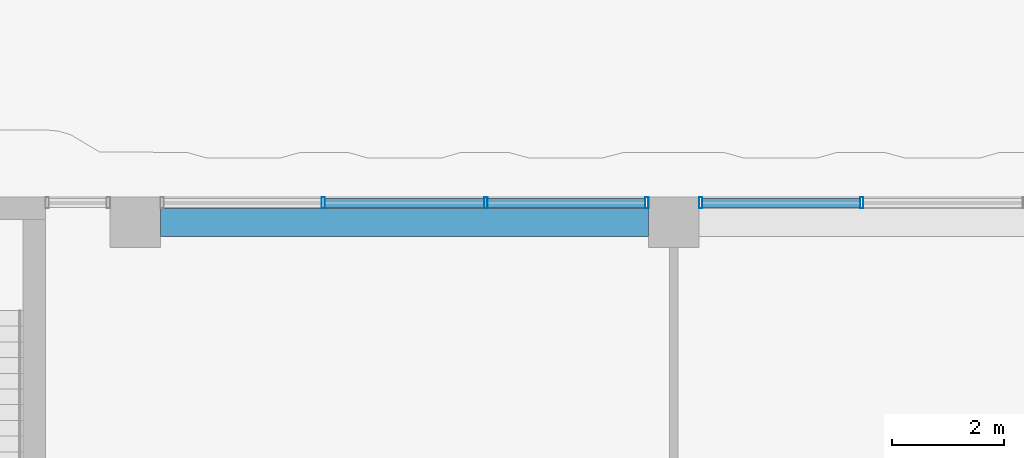
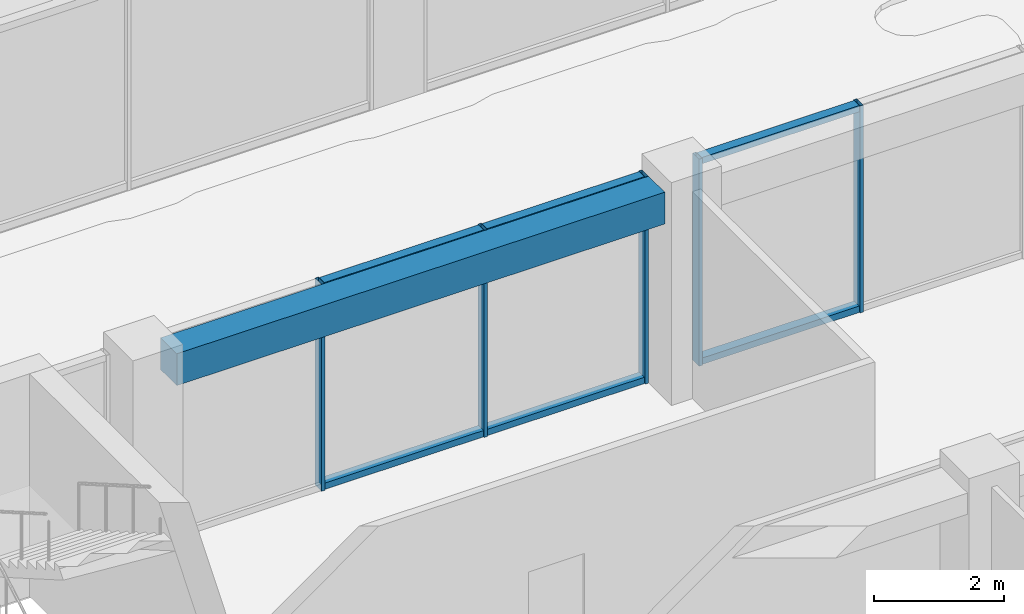
# One storey, part 16 of 72: 11 members, 1 beam, 2 elements without a shape of their own.
"""IFC4 building model written with IfcOpenShell, lengths in metres."""

from ifc_helpers import new_model, si_unit, direction, frame, origin, origin_2d, place, context, subcontext, project, spatial, rectangle, hollow_rectangle, extrude, material, layer, layer_set, material_profile, profile_set, type_object, element, aggregate, save


model = new_model("IFC4")

# Units and contexts
model_context = context("Model", 3, precision=1e-05, world=origin(), true_north=direction((0.0, 1.0)))
body_context = subcontext(model_context, "Body", "Model", "MODEL_VIEW")
ifc_project = project(units=[si_unit("LENGTHUNIT", "METRE"), si_unit("AREAUNIT", "SQUARE_METRE"), si_unit("VOLUMEUNIT", "CUBIC_METRE"), si_unit("PLANEANGLEUNIT", "RADIAN"), si_unit("MASSUNIT", "GRAM", prefix="KILO")], contexts=[model_context])

# Site, building, storey
site_placement = place(None, origin())
site = spatial("IfcSite", under=ifc_project, at=site_placement, CompositionType="ELEMENT")
building_placement = place(site_placement, origin())
building = spatial("IfcBuilding", under=site, at=building_placement, Name="Nzadi Deep Aquarium and Research Tower", CompositionType="ELEMENT")
storey_placement = place(building_placement, frame((0.0, 0.0, 31.89990234375)))
storey = spatial("IfcBuildingStorey", under=building, at=storey_placement, Name="L05", CompositionType="ELEMENT", Elevation=31.89990234375)

# Curtain wall, members
ifc_material_1 = material(Name="Aluminium unitised frame", Category="aluminium")
ifc_layer = layer(ifc_material_1, 0.199951171875)
ifc_layer_set = layer_set([ifc_layer], Name="Aluminium unitised frame")
curtain_wall_type = type_object("IfcCurtainWallType", Name="Curtain wall Unitised 200", PredefinedType="NOTDEFINED", material=ifc_layer_set)
curtain_wall_1_placement = place(storey_placement, origin())
curtain_wall_1 = element("IfcCurtainWall", 1, at=curtain_wall_1_placement, inside=storey, type_object=curtain_wall_type, Name="Unitised curtain wall blade A north L05", PredefinedType="NOTDEFINED")
ifc_material_2 = material(Name="Aluminium unitised frame", Category="aluminium")
ifc_material_profile_1 = material_profile(ifc_material_2, hollow_rectangle(XDim=0.199951171875, YDim=0.06005859375, WallThickness=0.0048828125, at=origin_2d()))
ifc_profile_set_1 = profile_set([ifc_material_profile_1], Name="Aluminium unitised frame")
member_type_1 = type_object("IfcMemberType", Name="Mullion 60x200 Unitised", PredefinedType="MULLION", material=ifc_profile_set_1)
member_1_placement = place(storey_placement, frame((32.14990234375, 18.75, 0.0), z_axis=(0.0, 0.0, 1.0), x_axis=(0.0, 1.0, 0.0)))
member_1 = element("IfcMember", 2, at=member_1_placement, type_object=member_type_1, Name="CW006 mullion 2", PredefinedType="MULLION", context=body_context, shape_type="SweptSolid", body=[
    extrude(hollow_rectangle(XDim=0.199951171875, YDim=0.06005859375, WallThickness=0.0048828125, at=origin_2d()), origin(), (0.0, 0.0, 1.0), 3.900146484375),
])
member_2_placement = place(storey_placement, frame((35.050048828125, 18.75, 0.0), z_axis=(0.0, 0.0, 1.0), x_axis=(0.0, 1.0, 0.0)))
member_2 = element("IfcMember", 3, at=member_2_placement, type_object=member_type_1, Name="CW006 mullion 3", PredefinedType="MULLION", context=body_context, shape_type="SweptSolid", body=[
    extrude(hollow_rectangle(XDim=0.199951171875, YDim=0.06005859375, WallThickness=0.0048828125, at=origin_2d()), origin(), (0.0, 0.0, 1.0), 3.900146484375),
])
member_3_placement = place(storey_placement, frame((37.919921875, 18.75, 0.0), z_axis=(0.0, 0.0, 1.0), x_axis=(0.0, 1.0, 0.0)))
member_3 = element("IfcMember", 4, at=member_3_placement, type_object=member_type_1, Name="CW006 mullion 4", PredefinedType="MULLION", context=body_context, shape_type="SweptSolid", body=[
    extrude(hollow_rectangle(XDim=0.199951171875, YDim=0.06005859375, WallThickness=0.0048828125, at=origin_2d()), origin(), (0.0, 0.0, 1.0), 3.900146484375),
])

curtain_wall_2_placement = place(storey_placement, origin())
curtain_wall_2 = element("IfcCurtainWall", 5, at=curtain_wall_2_placement, inside=storey, type_object=curtain_wall_type, Name="Unitised curtain wall blade A north L05", PredefinedType="NOTDEFINED")
member_4_placement = place(storey_placement, frame((38.8798828125, 18.75, 0.0), z_axis=(0.0, 0.0, 1.0), x_axis=(0.0, 1.0, 0.0)))
member_4 = element("IfcMember", 6, at=member_4_placement, type_object=member_type_1, Name="CW007 mullion 1", PredefinedType="MULLION", context=body_context, shape_type="SweptSolid", body=[
    extrude(hollow_rectangle(XDim=0.199951171875, YDim=0.06005859375, WallThickness=0.0048828125, at=origin_2d()), origin(), (0.0, 0.0, 1.0), 3.900146484375),
])
member_5_placement = place(storey_placement, frame((41.75, 18.75, 0.0), z_axis=(0.0, 0.0, 1.0), x_axis=(0.0, 1.0, 0.0)))
member_5 = element("IfcMember", 7, at=member_5_placement, type_object=member_type_1, Name="CW007 mullion 2", PredefinedType="MULLION", context=body_context, shape_type="SweptSolid", body=[
    extrude(hollow_rectangle(XDim=0.199951171875, YDim=0.06005859375, WallThickness=0.0048828125, at=origin_2d()), origin(), (0.0, 0.0, 1.0), 3.900146484375),
])

# Beam
ifc_material_3 = material(Name="Concrete C35/45", Category="concrete")
ifc_material_profile_2 = material_profile(ifc_material_3, rectangle(XDim=0.5, YDim=0.60009765625, at=origin_2d()))
ifc_profile_set_2 = profile_set([ifc_material_profile_2], Name="Concrete C35/45")
beam_type = type_object("IfcBeamType", Name="RC 500x600", PredefinedType="BEAM", material=ifc_profile_set_2)
beam_placement = place(storey_placement, frame((29.25, 18.39990234375, 3.60009765625), z_axis=(1.0, 0.0, 0.0), x_axis=(0.0, 1.0, 0.0)))
element("IfcBeam", 8, at=beam_placement, inside=storey, type_object=beam_type, Name="B-Z1-L05-L3-4", PredefinedType="BEAM", context=body_context, shape_type="SweptSolid", body=[
    extrude(rectangle(XDim=0.5, YDim=0.60009765625, at=origin_2d()), origin(), (0.0, 0.0, 1.0), 8.699951171875),
])

# Member
ifc_material_4 = material(Name="Aluminium unitised frame", Category="aluminium")
ifc_material_profile_3 = material_profile(ifc_material_4, hollow_rectangle(XDim=0.159912109375, YDim=0.1201171875, WallThickness=0.0048828125, at=origin_2d()))
ifc_profile_set_3 = profile_set([ifc_material_profile_3], Name="Aluminium unitised frame")
member_type_2 = type_object("IfcMemberType", Name="Transom 120x160 Unitised", PredefinedType="MULLION", material=ifc_profile_set_3)
member_6_placement = place(storey_placement, frame((32.179931640625, 18.75, 0.06005859375), z_axis=(1.0, 0.0, 0.0), x_axis=(0.0, 1.0, 0.0)))
member_6 = element("IfcMember", 9, at=member_6_placement, type_object=member_type_2, Name="CW006 transom 2.1", PredefinedType="MULLION", context=body_context, shape_type="SweptSolid", body=[
    extrude(hollow_rectangle(XDim=0.159912109375, YDim=0.1201171875, WallThickness=0.0048828125, at=origin_2d()), origin(), (0.0, 0.0, 1.0), 2.840087890625),
])

member_7_placement = place(storey_placement, frame((32.179931640625, 18.75, 3.840087890625), z_axis=(1.0, 0.0, 0.0), x_axis=(0.0, 1.0, 0.0)))
member_7 = element("IfcMember", 10, at=member_7_placement, type_object=member_type_2, Name="CW006 transom 2.2", PredefinedType="MULLION", context=body_context, shape_type="SweptSolid", body=[
    extrude(hollow_rectangle(XDim=0.159912109375, YDim=0.1201171875, WallThickness=0.0048828125, at=origin_2d()), origin(), (0.0, 0.0, 1.0), 2.840087890625),
])

member_8_placement = place(storey_placement, frame((35.080078125, 18.75, 0.06005859375), z_axis=(1.0, 0.0, 0.0), x_axis=(0.0, 1.0, 0.0)))
member_8 = element("IfcMember", 11, at=member_8_placement, type_object=member_type_2, Name="CW006 transom 3.1", PredefinedType="MULLION", context=body_context, shape_type="SweptSolid", body=[
    extrude(hollow_rectangle(XDim=0.159912109375, YDim=0.1201171875, WallThickness=0.0048828125, at=origin_2d()), origin(), (0.0, 0.0, 1.0), 2.809814453125),
])

member_9_placement = place(storey_placement, frame((35.080078125, 18.75, 3.840087890625), z_axis=(1.0, 0.0, 0.0), x_axis=(0.0, 1.0, 0.0)))
member_9 = element("IfcMember", 12, at=member_9_placement, type_object=member_type_2, Name="CW006 transom 3.2", PredefinedType="MULLION", context=body_context, shape_type="SweptSolid", body=[
    extrude(hollow_rectangle(XDim=0.159912109375, YDim=0.1201171875, WallThickness=0.0048828125, at=origin_2d()), origin(), (0.0, 0.0, 1.0), 2.809814453125),
])

aggregate(curtain_wall_1, [member_1, member_2, member_3, member_6, member_7, member_8, member_9])

member_10_placement = place(storey_placement, frame((38.909912109375, 18.75, 0.06005859375), z_axis=(1.0, 0.0, 0.0), x_axis=(0.0, 1.0, 0.0)))
member_10 = element("IfcMember", 13, at=member_10_placement, type_object=member_type_2, Name="CW007 transom 1.1", PredefinedType="MULLION", context=body_context, shape_type="SweptSolid", body=[
    extrude(hollow_rectangle(XDim=0.159912109375, YDim=0.1201171875, WallThickness=0.0048828125, at=origin_2d()), origin(), (0.0, 0.0, 1.0), 2.81005859375),
])

member_11_placement = place(storey_placement, frame((38.909912109375, 18.75, 3.840087890625), z_axis=(1.0, 0.0, 0.0), x_axis=(0.0, 1.0, 0.0)))
member_11 = element("IfcMember", 14, at=member_11_placement, type_object=member_type_2, Name="CW007 transom 1.2", PredefinedType="MULLION", context=body_context, shape_type="SweptSolid", body=[
    extrude(hollow_rectangle(XDim=0.159912109375, YDim=0.1201171875, WallThickness=0.0048828125, at=origin_2d()), origin(), (0.0, 0.0, 1.0), 2.81005859375),
])

aggregate(curtain_wall_2, [member_4, member_5, member_10, member_11])

save(model, "model.ifc")
